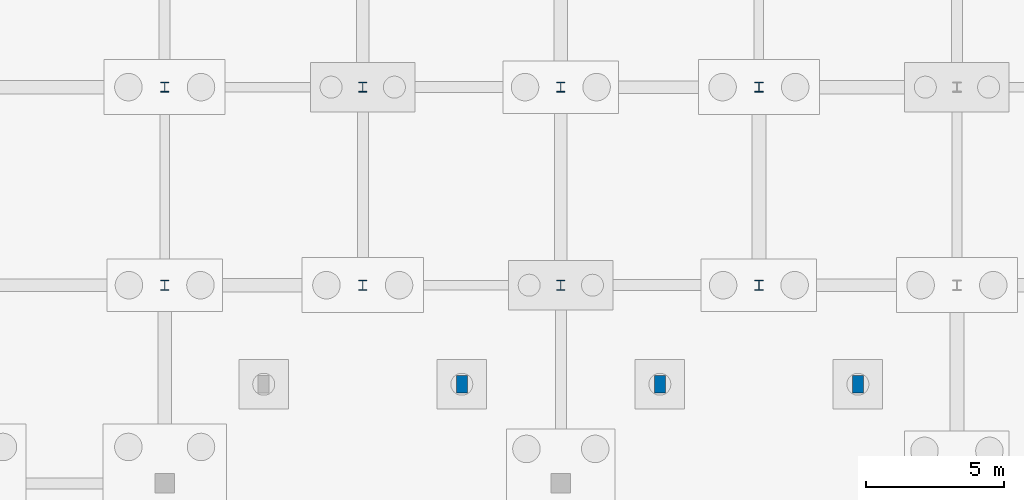
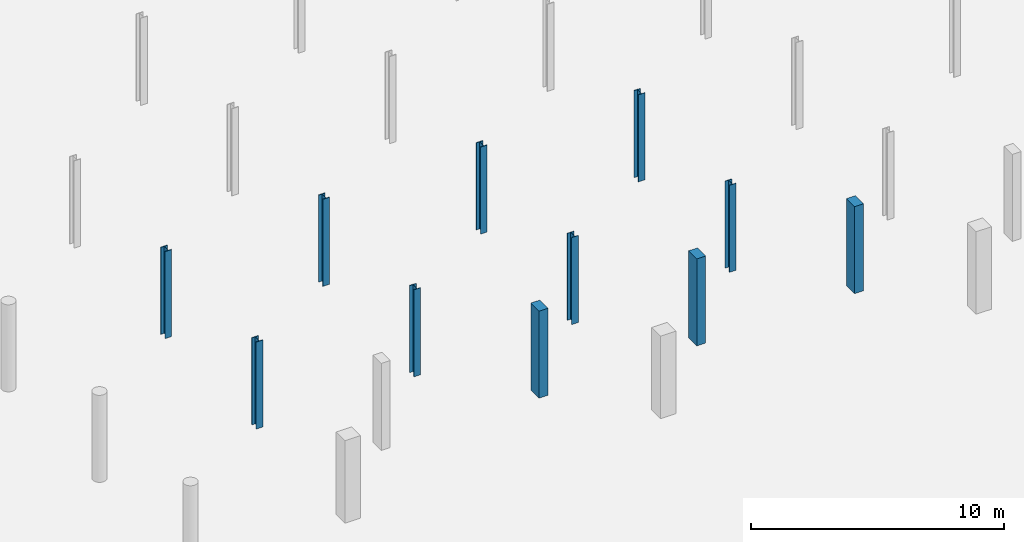
# One storey, part 31 of 56: 11 columns.
"""IFC4 building model written with IfcOpenShell, lengths in metres."""

from ifc_helpers import new_model, si_unit, direction, frame, origin, origin_2d, place, context, subcontext, project, spatial, rectangle, i_section, extrude, material, material_profile, profile_set, type_object, element, save


model = new_model("IFC4")

# Units and contexts
model_context = context("Model", 3, precision=1e-05, world=origin(), true_north=direction((0.0, 1.0)))
body_context = subcontext(model_context, "Body", "Model", "MODEL_VIEW")
ifc_project = project(units=[si_unit("LENGTHUNIT", "METRE"), si_unit("AREAUNIT", "SQUARE_METRE"), si_unit("VOLUMEUNIT", "CUBIC_METRE"), si_unit("PLANEANGLEUNIT", "RADIAN"), si_unit("MASSUNIT", "GRAM", prefix="KILO")], contexts=[model_context])

# Site, building, storey
site_placement = place(None, origin())
site = spatial("IfcSite", under=ifc_project, at=site_placement, CompositionType="ELEMENT")
building_placement = place(site_placement, origin())
building = spatial("IfcBuilding", under=site, at=building_placement, Name="Suanplinth Sawtooth Commons", CompositionType="ELEMENT")
storey_placement = place(building_placement, frame((0.0, 0.0, -4.199951171875)))
storey = spatial("IfcBuildingStorey", under=building, at=storey_placement, Name="B1", CompositionType="ELEMENT", Elevation=-4.199951171875)

# Columns
ifc_material_1 = material(Name="Steel S355JR", Category="steel")
ifc_material_profile_1 = material_profile(ifc_material_1, i_section(OverallWidth=0.300048828125, OverallDepth=0.360107421875, WebThickness=0.012451171875, FlangeThickness=0.0224609375, at=origin_2d()), Name="HEB 360")
ifc_profile_set_1 = profile_set([ifc_material_profile_1], Name="Steel S355JR")
column_type_1 = type_object("IfcColumnType", Name="C-10", PredefinedType="COLUMN", material=ifc_profile_set_1)
for number, where, z_axis, x_axis, name in (
    (1, (129.60009765625, 50.39990234375, 0.0), (0.0, 0.0, 1.0), (1.0, 0.0, 0.0), "Column B1 19/H"),
    (2, (129.60009765625, 57.60009765625, 0.0), (0.0, 0.0, 1.0), (1.0, 0.0, 0.0), "Column B1 19/J"),
    (3, (136.800048828125, 50.39990234375, 0.0), (0.0, 0.0, 1.0), (1.0, 0.0, 0.0), "Column B1 20/H"),
    (4, (136.800048828125, 57.60009765625, 0.0), (0.0, 0.0, 1.0), (1.0, 0.0, 0.0), "Column B1 20/J"),
    (5, (144.0, 50.39990234375, 0.0), (0.0, 0.0, 1.0), (1.0, 0.0, 0.0), "Column B1 21/H"),
    (6, (144.0, 57.60009765625, 0.0), (0.0, 0.0, 1.0), (1.0, 0.0, 0.0), "Column B1 21/J"),
    (7, (151.199951171875, 50.39990234375, 0.0), (0.0, 0.0, 1.0), (1.0, 0.0, 0.0), "Column B1 22/H"),
    (8, (151.199951171875, 57.60009765625, 0.0), (0.0, 0.0, 1.0), (1.0, 0.0, 0.0), "Column B1 22/J"),
):
    element("IfcColumn", number, at=place(storey_placement, frame(where, z_axis=z_axis, x_axis=x_axis)), inside=storey, type_object=column_type_1, Name=name, PredefinedType="COLUMN", context=body_context, shape_type="SweptSolid", body=[
        extrude(i_section(OverallWidth=0.300048828125, OverallDepth=0.360107421875, WebThickness=0.012451171875, FlangeThickness=0.0224609375, at=origin_2d()), origin(), (0.0, 0.0, 1.0), 4.199951171875),
    ])
ifc_material_2 = material(Name="Precast concrete C40/50", Category="concrete")
ifc_material_profile_2 = material_profile(ifc_material_2, rectangle(XDim=0.39990234375, YDim=0.64990234375, at=origin_2d()), Name="PC-PIL 400x650")
ifc_profile_set_2 = profile_set([ifc_material_profile_2], Name="Precast concrete C40/50")
column_type_2 = type_object("IfcColumnType", Name="C-14", PredefinedType="PILASTER", material=ifc_profile_set_2)
for number, where, z_axis, x_axis, name in (
    (9, (140.39990234375, 46.800048828125, 0.0), (0.0, 0.0, 1.0), (1.0, 0.0, 0.0), "Veranda Colonnade Pilaster B1 P8"),
    (10, (147.60009765625, 46.800048828125, 0.0), (0.0, 0.0, 1.0), (1.0, 0.0, 0.0), "Veranda Colonnade Pilaster B1 P9"),
    (11, (154.800048828125, 46.800048828125, 0.0), (0.0, 0.0, 1.0), (1.0, 0.0, 0.0), "Veranda Colonnade Pilaster B1 P10"),
):
    element("IfcColumn", number, at=place(storey_placement, frame(where, z_axis=z_axis, x_axis=x_axis)), inside=storey, type_object=column_type_2, Name=name, PredefinedType="PILASTER", context=body_context, shape_type="SweptSolid", body=[
        extrude(rectangle(XDim=0.39990234375, YDim=0.64990234375, at=origin_2d()), origin(), (0.0, 0.0, 1.0), 4.199951171875),
    ])

save(model, "model.ifc")
